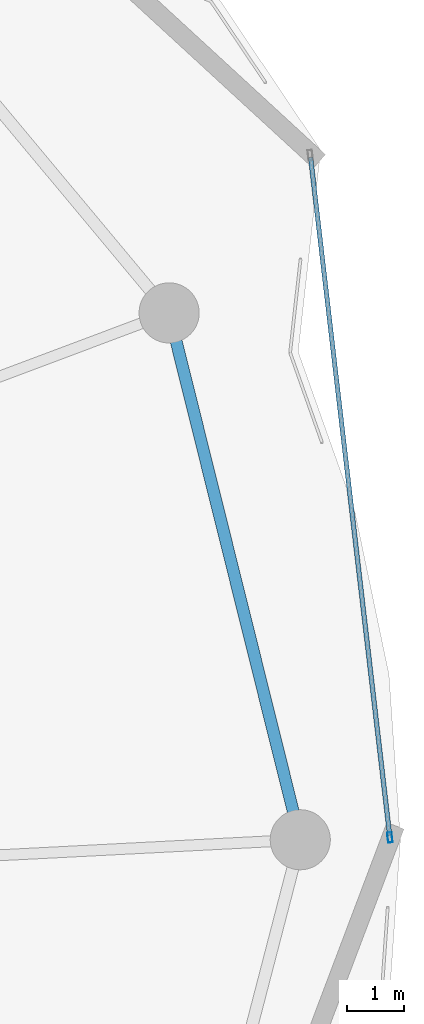
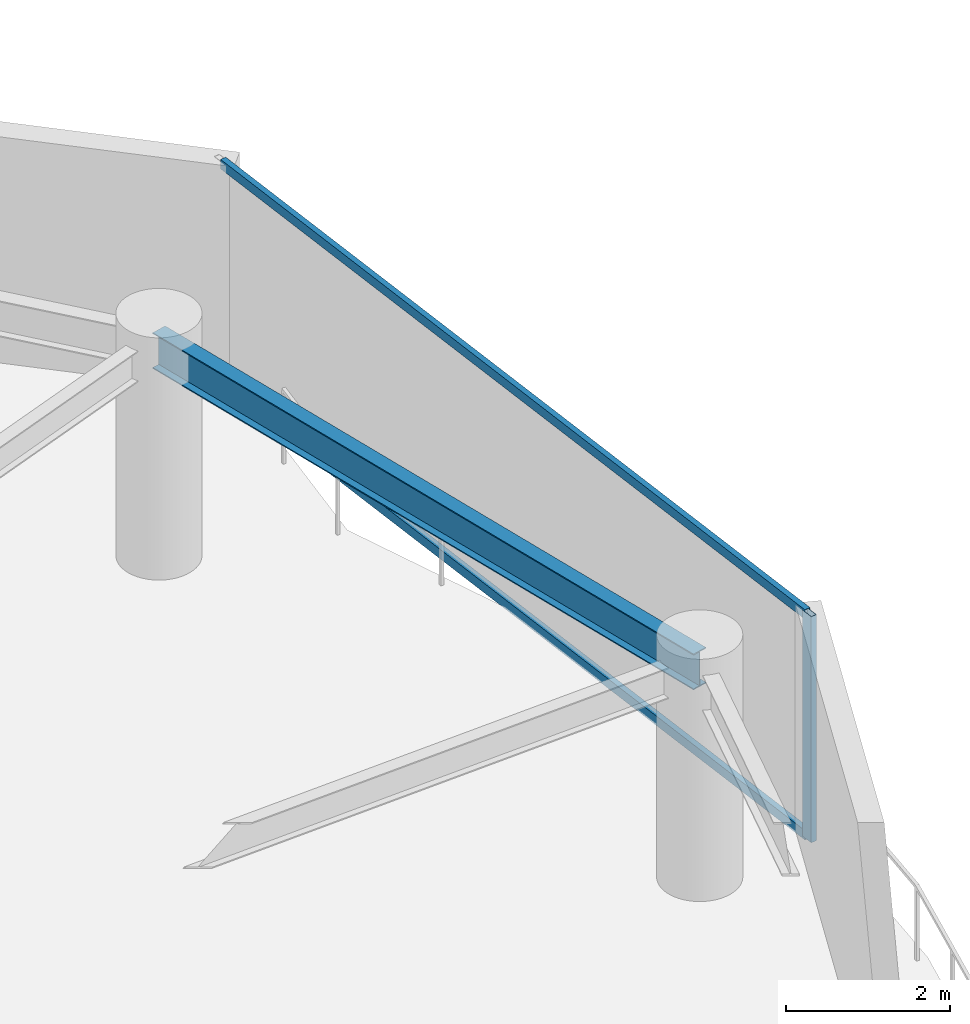
# One storey, part 16 of 31: 3 members, 1 beam, 1 element without a shape of its own.
"""IFC4 building model written with IfcOpenShell, lengths in metres."""

from ifc_helpers import new_model, si_unit, direction, frame, origin, origin_2d, place, context, subcontext, project, spatial, hollow_rectangle, i_section, extrude, material, layer, layer_set, material_profile, profile_set, type_object, element, aggregate, save


model = new_model("IFC4")

# Units and contexts
model_context = context("Model", 3, precision=1e-05, world=origin(), true_north=direction((0.0, 1.0)))
body_context = subcontext(model_context, "Body", "Model", "MODEL_VIEW")
ifc_project = project(units=[si_unit("LENGTHUNIT", "METRE"), si_unit("AREAUNIT", "SQUARE_METRE"), si_unit("VOLUMEUNIT", "CUBIC_METRE"), si_unit("PLANEANGLEUNIT", "RADIAN"), si_unit("MASSUNIT", "GRAM", prefix="KILO")], contexts=[model_context])

# Site, building, storey
site_placement = place(None, origin())
site = spatial("IfcSite", under=ifc_project, at=site_placement, CompositionType="ELEMENT")
building_placement = place(site_placement, origin())
building = spatial("IfcBuilding", under=site, at=building_placement, Name="Kazevale Care Tower and Concert Hall", CompositionType="ELEMENT")
storey_placement = place(building_placement, frame((0.0, 0.0, 238.800048828125)))
storey = spatial("IfcBuildingStorey", under=building, at=storey_placement, Name="L63", CompositionType="ELEMENT", Elevation=238.800048828125)

# Curtain wall, members
ifc_material_1 = material(Name="Aluminium 6063-T6 and Low-E Glass", Category="aluminium")
ifc_layer = layer(ifc_material_1, 0.179931640625)
ifc_layer_set = layer_set([ifc_layer], Name="Aluminium 6063-T6 and Low-E Glass")
curtain_wall_type = type_object("IfcCurtainWallType", Name="Waist & Upper Residential Curtain Wall CW-4", PredefinedType="NOTDEFINED", material=ifc_layer_set)
curtain_wall_placement = place(storey_placement, origin())
curtain_wall = element("IfcCurtainWall", 1, at=curtain_wall_placement, inside=storey, type_object=curtain_wall_type, Name="cw:L63:f18", PredefinedType="NOTDEFINED")
ifc_material_2 = material(Name="Aluminium 6063-T6", Category="aluminium")
ifc_material_profile_1 = material_profile(ifc_material_2, hollow_rectangle(XDim=0.080078125, YDim=0.179931640625, WallThickness=0.0048828125, at=origin_2d()), Name="ALU80x180x5")
ifc_profile_set_1 = profile_set([ifc_material_profile_1], Name="Aluminium 6063-T6")
member_type_1 = type_object("IfcMemberType", Name="CW-4 Mullion ALU80x180x5", PredefinedType="MULLION", material=ifc_profile_set_1)
member_1_placement = place(storey_placement, frame((76.615478515625, 38.039794921875, 0.0), z_axis=(0.0, 0.0, 1.0), x_axis=(0.993267109779, 0.115846659989, 0.0)))
member_1 = element("IfcMember", 2, at=member_1_placement, type_object=member_type_1, Name="CW-4 mullion 2", PredefinedType="MULLION", context=body_context, shape_type="SweptSolid", body=[
    extrude(hollow_rectangle(XDim=0.080078125, YDim=0.179931640625, WallThickness=0.0048828125, at=origin_2d()), origin(), (0.0, 0.0, 1.0), 3.35986328125),
])
ifc_material_profile_2 = material_profile(ifc_material_2, hollow_rectangle(XDim=0.080078125, YDim=0.139892578125, WallThickness=0.00390625, at=origin_2d()), Name="ALU80x140x4")
ifc_profile_set_2 = profile_set([ifc_material_profile_2], Name="Aluminium 6063-T6")
member_type_2 = type_object("IfcMemberType", Name="CW-4 Transom ALU80x140x4", PredefinedType="USERDEFINED", material=ifc_profile_set_2)
member_2_placement = place(storey_placement, frame((75.230224609375, 49.91552734375, 0.0400390625), z_axis=(0.115858128775, -0.993265772086, 0.0), x_axis=(0.993265772086, 0.115858128775, 0.0)))
member_2 = element("IfcMember", 3, at=member_2_placement, type_object=member_type_2, Name="CW-4 transom 1.1", ObjectType="TRANSOM", PredefinedType="USERDEFINED", context=body_context, shape_type="SweptSolid", body=[
    extrude(hollow_rectangle(XDim=0.080078125, YDim=0.139892578125, WallThickness=0.00390625, at=origin_2d()), origin(), (0.0, 0.0, 1.0), 11.91650390625),
])
member_3_placement = place(storey_placement, frame((75.230224609375, 49.91552734375, 3.320068359375), z_axis=(0.115858128775, -0.993265772086, 0.0), x_axis=(0.993265772086, 0.115858128775, 0.0)))
member_3 = element("IfcMember", 4, at=member_3_placement, type_object=member_type_2, Name="CW-4 transom 1.2", ObjectType="TRANSOM", PredefinedType="USERDEFINED", context=body_context, shape_type="SweptSolid", body=[
    extrude(hollow_rectangle(XDim=0.080078125, YDim=0.139892578125, WallThickness=0.00390625, at=origin_2d()), origin(), (0.0, 0.0, 1.0), 11.91650390625),
])
aggregate(curtain_wall, [member_1, member_2, member_3])

# Beam
ifc_material_3 = material(Name="Steel ASTM A572 Gr 50", Category="steel")
ifc_material_profile_3 = material_profile(ifc_material_3, i_section(OverallWidth=0.208984375, OverallDepth=0.532958984375, WebThickness=0.01025390625, FlangeThickness=0.015625, at=origin_2d()), Name="W530x92")
ifc_profile_set_3 = profile_set([ifc_material_profile_3], Name="Steel ASTM A572 Gr 50")
beam_type = type_object("IfcBeamType", Name="Upper Ring Beam W530x92", PredefinedType="BEAM", material=ifc_profile_set_3)
beam_placement = place(storey_placement, frame((75.050048828125, 38.0, 3.093505859375), z_axis=(-0.241547858543, 0.970388907621, 0.0), x_axis=(-0.970388907621, -0.241547858543, 0.0)))
element("IfcBeam", 5, at=beam_placement, inside=storey, type_object=beam_type, Name="beam:L63:ring:01", PredefinedType="BEAM", context=body_context, shape_type="SweptSolid", body=[
    extrude(i_section(OverallWidth=0.208984375, OverallDepth=0.532958984375, WebThickness=0.01025390625, FlangeThickness=0.015625, at=origin_2d()), origin(), (0.0, 0.0, 1.0), 9.480712890625),
])

save(model, "model.ifc")
